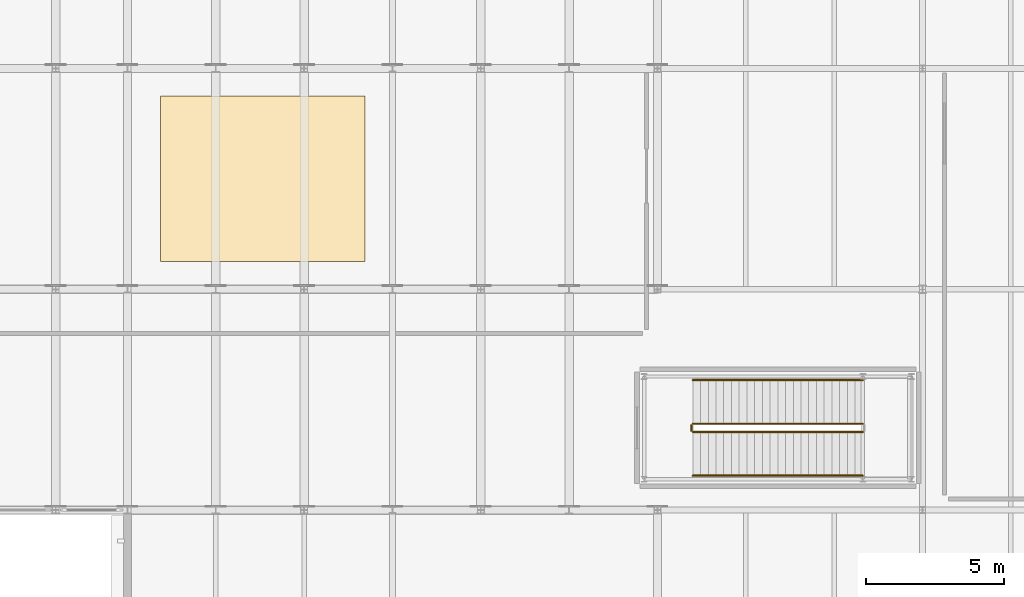
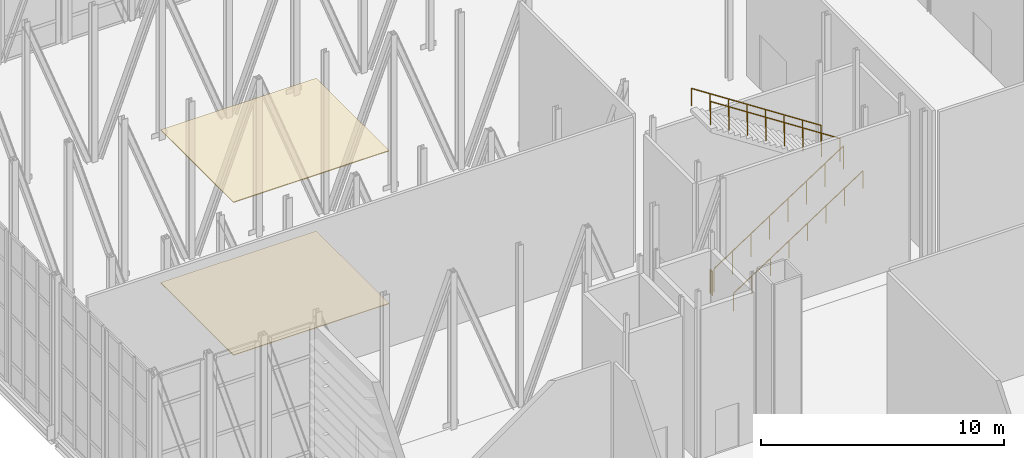
# One storey, part 71 of 73: 5 railings, 2 coverings.
"""IFC4 building model written with IfcOpenShell, lengths in metres."""

from ifc_helpers import new_model, si_unit, direction, frame, origin, origin_2d, place, context, subcontext, project, spatial, polyline, circle, outline, extrude, material, layer, layer_set, type_object, element, save


model = new_model("IFC4")

# Units and contexts
model_context = context("Model", 3, precision=1e-05, world=origin(), true_north=direction((0.0, 1.0)))
body_context = subcontext(model_context, "Body", "Model", "MODEL_VIEW")
ifc_project = project(units=[si_unit("LENGTHUNIT", "METRE"), si_unit("AREAUNIT", "SQUARE_METRE"), si_unit("VOLUMEUNIT", "CUBIC_METRE"), si_unit("PLANEANGLEUNIT", "RADIAN"), si_unit("MASSUNIT", "GRAM", prefix="KILO")], contexts=[model_context])

# Site, building, storey
site_placement = place(None, origin())
site = spatial("IfcSite", under=ifc_project, at=site_placement, CompositionType="ELEMENT")
building_placement = place(site_placement, origin())
building = spatial("IfcBuilding", under=site, at=building_placement, Name="Alderhovde Museum", CompositionType="ELEMENT")
storey_placement = place(building_placement, frame((0.0, 0.0, 17.39990234375)))
storey = spatial("IfcBuildingStorey", under=building, at=storey_placement, Name="L04", CompositionType="ELEMENT", Elevation=17.39990234375)

# Coverings
ifc_material_1 = material(Name="Perforated Gypsum Acoustic Ceiling")
ifc_layer_1 = layer(ifc_material_1, 0.0400390625)
ifc_layer_set_1 = layer_set([ifc_layer_1], Name="Perforated Gypsum Acoustic Ceiling")
covering_type_1 = type_object("IfcCoveringType", Name="COV-CEIL-ACOU", PredefinedType="CEILING", material=ifc_layer_set_1)
covering_1_placement = place(storey_placement, frame((0.0, 0.0, 7.670166015625)))
element("IfcCovering", 1, at=covering_1_placement, inside=storey, type_object=covering_type_1, Name="L04 Acoustic Gallery Ceiling 9", PredefinedType="CEILING", context=body_context, shape_type="SweptSolid", body=[
    extrude(outline(polyline([(10.800048828125, 89.0), (18.199951171875, 89.0), (18.199951171875, 95.0), (10.800048828125, 95.0), (10.800048828125, 89.0)])), origin(), (0.0, 0.0, 1.0), 0.0400390625),
])
ifc_material_2 = material(Name="Honed Nordic Granite Terrazzo Flooring", Category="masonry")
ifc_layer_2 = layer(ifc_material_2, 0.030029296875)
ifc_layer_set_2 = layer_set([ifc_layer_2], Name="Honed Nordic Granite Terrazzo Flooring")
covering_type_2 = type_object("IfcCoveringType", Name="COV-FLR-TERRAZZO", PredefinedType="FLOORING", material=ifc_layer_set_2)
covering_2_placement = place(storey_placement, origin())
element("IfcCovering", 2, at=covering_2_placement, inside=storey, type_object=covering_type_2, Name="L04 Granite Terrazzo Flooring 9", PredefinedType="FLOORING", context=body_context, shape_type="SweptSolid", body=[
    extrude(outline(polyline([(10.800048828125, 89.0), (18.199951171875, 89.0), (18.199951171875, 95.0), (10.800048828125, 95.0), (10.800048828125, 89.0)])), origin(), (0.0, 0.0, 1.0), 0.030029296875),
])

# Railings
ifc_material_3 = material(Name="Painted Steel S355 Guardrail", Category="steel")
railing_type_1 = type_object("IfcRailingType", Name="RL-GUARD-1200", PredefinedType="GUARDRAIL", material=ifc_material_3)
railing_1_placement = place(storey_placement, frame((30.080078125, 82.830078125, 0.1826171875)))
element("IfcRailing", 3, at=railing_1_placement, inside=storey, type_object=railing_type_1, Name="L04 ST2 stair guard 1", PredefinedType="GUARDRAIL", context=body_context, shape_type="SweptSolid", body=[
    extrude(circle(Radius=0.02392578125, at=origin_2d()), frame((0.0, 0.0, 1.17578125), z_axis=(0.837595406872, 0.0, 0.546291071122), x_axis=(0.0, 1.0, 0.0)), (0.0, 0.0, 1.0), 7.354248046875),
    extrude(circle(Radius=0.02099609375, at=origin_2d()), origin(), (0.0, 0.0, 1.0), 1.15185546875),
    extrude(circle(Radius=0.02099609375, at=origin_2d()), frame((0.8798828125, 0.0, 0.573974609375)), (0.0, 0.0, 1.0), 1.15185546875),
    extrude(circle(Radius=0.02099609375, at=origin_2d()), frame((1.760009765625, 0.0, 1.14794921875)), (0.0, 0.0, 1.0), 1.15185546875),
    extrude(circle(Radius=0.02099609375, at=origin_2d()), frame((2.639892578125, 0.0, 1.721923828125)), (0.0, 0.0, 1.0), 1.15185546875),
    extrude(circle(Radius=0.02099609375, at=origin_2d()), frame((3.52001953125, 0.0, 2.295654296875)), (0.0, 0.0, 1.0), 1.15185546875),
    extrude(circle(Radius=0.02099609375, at=origin_2d()), frame((4.39990234375, 0.0, 2.86962890625)), (0.0, 0.0, 1.0), 1.15185546875),
    extrude(circle(Radius=0.02099609375, at=origin_2d()), frame((5.280029296875, 0.0, 3.443603515625)), (0.0, 0.0, 1.0), 1.15185546875),
    extrude(circle(Radius=0.02099609375, at=origin_2d()), frame((6.159912109375, 0.0, 4.017578125)), (0.0, 0.0, 1.0), 1.15185546875),
])
railing_2_placement = place(storey_placement, frame((36.239990234375, 83.1298828125, 4.3828125)))
element("IfcRailing", 4, at=railing_2_placement, inside=storey, type_object=railing_type_1, Name="L04 ST2 stair guard 3", PredefinedType="GUARDRAIL", context=body_context, shape_type="SweptSolid", body=[
    extrude(circle(Radius=0.02392578125, at=origin_2d()), frame((0.0, 0.0, 1.17578125), z_axis=(-0.837610596839, 0.0, 0.546267780547), x_axis=(0.0, -1.0, 0.0)), (0.0, 0.0, 1.0), 7.354248046875),
    extrude(circle(Radius=0.02099609375, at=origin_2d()), origin(), (0.0, 0.0, 1.0), 1.15185546875),
    extrude(circle(Radius=0.02099609375, at=origin_2d()), frame((-0.8798828125, 0.0, 0.573974609375)), (0.0, 0.0, 1.0), 1.15185546875),
    extrude(circle(Radius=0.02099609375, at=origin_2d()), frame((-1.760009765625, 0.0, 1.147705078125)), (0.0, 0.0, 1.0), 1.15185546875),
    extrude(circle(Radius=0.02099609375, at=origin_2d()), frame((-2.639892578125, 0.0, 1.7216796875)), (0.0, 0.0, 1.0), 1.15185546875),
    extrude(circle(Radius=0.02099609375, at=origin_2d()), frame((-3.52001953125, 0.0, 2.295654296875)), (0.0, 0.0, 1.0), 1.15185546875),
    extrude(circle(Radius=0.02099609375, at=origin_2d()), frame((-4.39990234375, 0.0, 2.86962890625)), (0.0, 0.0, 1.0), 1.15185546875),
    extrude(circle(Radius=0.02099609375, at=origin_2d()), frame((-5.280029296875, 0.0, 3.443359375)), (0.0, 0.0, 1.0), 1.15185546875),
    extrude(circle(Radius=0.02099609375, at=origin_2d()), frame((-6.159912109375, 0.0, 4.017333984375)), (0.0, 0.0, 1.0), 1.15185546875),
])
railing_3_placement = place(storey_placement, frame((30.030029296875, 82.8798828125, 0.0)))
element("IfcRailing", 5, at=railing_3_placement, inside=storey, type_object=railing_type_1, Name="L04 ST2 stair guard 4", PredefinedType="GUARDRAIL", context=body_context, shape_type="SweptSolid", body=[
    extrude(circle(Radius=0.02392578125, at=origin_2d()), frame((0.0, 0.0, 1.17578125), z_axis=(0.0, 1.0, 0.0), x_axis=(-1.0, 0.0, 0.0)), (0.0, 0.0, 1.0), 0.2001953125),
    extrude(circle(Radius=0.02099609375, at=origin_2d()), origin(), (0.0, 0.0, 1.0), 1.15185546875),
    extrude(circle(Radius=0.02099609375, at=origin_2d()), frame((0.0, 0.2001953125, 0.0)), (0.0, 0.0, 1.0), 1.15185546875),
])
ifc_material_4 = material(Name="Brushed Stainless Steel Handrail", Category="steel")
railing_type_2 = type_object("IfcRailingType", Name="RL-HANDRAIL-900", PredefinedType="HANDRAIL", material=ifc_material_4)
railing_4_placement = place(storey_placement, frame((30.080078125, 81.25, 0.1826171875)))
element("IfcRailing", 6, at=railing_4_placement, inside=storey, type_object=railing_type_2, Name="L04 ST2 stair handrail 1", PredefinedType="HANDRAIL", context=body_context, shape_type="SweptSolid", body=[
    extrude(circle(Radius=0.02392578125, at=origin_2d()), frame((0.0, 0.0, 0.8759765625), z_axis=(0.837595406872, 0.0, 0.546291071122), x_axis=(0.0, 1.0, 0.0)), (0.0, 0.0, 1.0), 7.354248046875),
    extrude(circle(Radius=0.02099609375, at=origin_2d()), origin(), (0.0, 0.0, 1.0), 0.851806640625),
    extrude(circle(Radius=0.02099609375, at=origin_2d()), frame((0.8798828125, 0.0, 0.573974609375)), (0.0, 0.0, 1.0), 0.851806640625),
    extrude(circle(Radius=0.02099609375, at=origin_2d()), frame((1.760009765625, 0.0, 1.14794921875)), (0.0, 0.0, 1.0), 0.851806640625),
    extrude(circle(Radius=0.02099609375, at=origin_2d()), frame((2.639892578125, 0.0, 1.721923828125)), (0.0, 0.0, 1.0), 0.851806640625),
    extrude(circle(Radius=0.02099609375, at=origin_2d()), frame((3.52001953125, 0.0, 2.295654296875)), (0.0, 0.0, 1.0), 0.851806640625),
    extrude(circle(Radius=0.02099609375, at=origin_2d()), frame((4.39990234375, 0.0, 2.86962890625)), (0.0, 0.0, 1.0), 0.851806640625),
    extrude(circle(Radius=0.02099609375, at=origin_2d()), frame((5.280029296875, 0.0, 3.443603515625)), (0.0, 0.0, 1.0), 0.851806640625),
    extrude(circle(Radius=0.02099609375, at=origin_2d()), frame((6.159912109375, 0.0, 4.017578125)), (0.0, 0.0, 1.0), 0.851806640625),
])
railing_5_placement = place(storey_placement, frame((36.239990234375, 84.7099609375, 4.3828125)))
element("IfcRailing", 7, at=railing_5_placement, inside=storey, type_object=railing_type_2, Name="L04 ST2 stair handrail 2", PredefinedType="HANDRAIL", context=body_context, shape_type="SweptSolid", body=[
    extrude(circle(Radius=0.02392578125, at=origin_2d()), frame((0.0, 0.0, 0.8759765625), z_axis=(-0.837610596839, 0.0, 0.546267780547), x_axis=(0.0, -1.0, 0.0)), (0.0, 0.0, 1.0), 7.354248046875),
    extrude(circle(Radius=0.02099609375, at=origin_2d()), origin(), (0.0, 0.0, 1.0), 0.851806640625),
    extrude(circle(Radius=0.02099609375, at=origin_2d()), frame((-0.8798828125, 0.0, 0.573974609375)), (0.0, 0.0, 1.0), 0.851806640625),
    extrude(circle(Radius=0.02099609375, at=origin_2d()), frame((-1.760009765625, 0.0, 1.147705078125)), (0.0, 0.0, 1.0), 0.851806640625),
    extrude(circle(Radius=0.02099609375, at=origin_2d()), frame((-2.639892578125, 0.0, 1.7216796875)), (0.0, 0.0, 1.0), 0.851806640625),
    extrude(circle(Radius=0.02099609375, at=origin_2d()), frame((-3.52001953125, 0.0, 2.295654296875)), (0.0, 0.0, 1.0), 0.851806640625),
    extrude(circle(Radius=0.02099609375, at=origin_2d()), frame((-4.39990234375, 0.0, 2.86962890625)), (0.0, 0.0, 1.0), 0.851806640625),
    extrude(circle(Radius=0.02099609375, at=origin_2d()), frame((-5.280029296875, 0.0, 3.443359375)), (0.0, 0.0, 1.0), 0.851806640625),
    extrude(circle(Radius=0.02099609375, at=origin_2d()), frame((-6.159912109375, 0.0, 4.017333984375)), (0.0, 0.0, 1.0), 0.851806640625),
])

save(model, "model.ifc")
